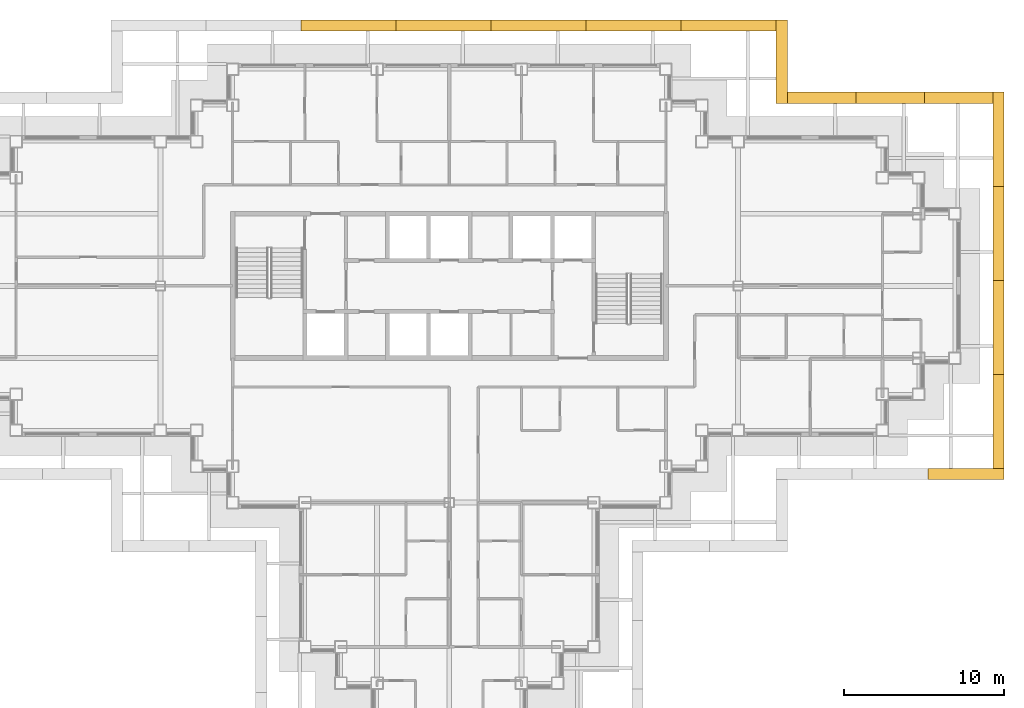
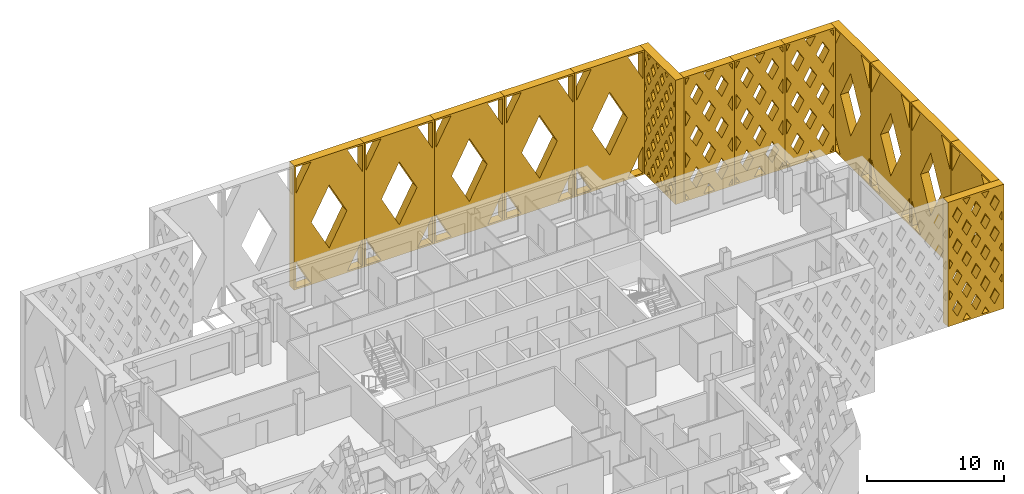
# One storey, part 18 of 18: 14 shading devices.
"""IFC4 building model written with IfcOpenShell, lengths in metres."""

from ifc_helpers import new_model, si_unit, direction, frame, origin, place, context, subcontext, project, spatial, polyline, outline, extrude, material, type_object, element, save


model = new_model("IFC4")

# Units and contexts
model_context = context("Model", 3, precision=1e-05, world=origin(), true_north=direction((0.0, 1.0)))
body_context = subcontext(model_context, "Body", "Model", "MODEL_VIEW")
ifc_project = project(units=[si_unit("LENGTHUNIT", "METRE"), si_unit("AREAUNIT", "SQUARE_METRE"), si_unit("VOLUMEUNIT", "CUBIC_METRE"), si_unit("PLANEANGLEUNIT", "RADIAN"), si_unit("MASSUNIT", "GRAM", prefix="KILO")], contexts=[model_context])

# Site, building, storey
site_placement = place(None, origin())
site = spatial("IfcSite", under=ifc_project, at=site_placement, CompositionType="ELEMENT")
building_placement = place(site_placement, origin())
building = spatial("IfcBuilding", under=site, at=building_placement, Name="Caravel Reach Hotel and Residences", CompositionType="ELEMENT")
storey_placement = place(building_placement, frame((0.0, 0.0, 176.5)))
storey = spatial("IfcBuildingStorey", under=building, at=storey_placement, Name="L44", CompositionType="ELEMENT", Elevation=176.5)

# Shading devices
ifc_material_1 = material(Name="Black powder-coated aluminium", Category="aluminium")
shading_device_type_1 = type_object("IfcShadingDeviceType", Name="Diamond lattice screen panel 4267 x 11100", PredefinedType="USERDEFINED", material=ifc_material_1)
shading_device_1_placement = place(storey_placement, frame((65.375, 38.375, 0.0), z_axis=(0.0, 1.0, 0.0), x_axis=(-1.0, 0.0, 0.0)))
element("IfcShadingDevice", 1, at=shading_device_1_placement, inside=storey, type_object=shading_device_type_1, Name="Lattice screen L44-L46 8.1", ObjectType="SCREEN", PredefinedType="USERDEFINED", context=body_context, shape_type="SweptSolid", body=[
    extrude(outline(polyline([(0.0, 0.0), (4.2666015625, 0.0), (4.2666015625, 11.10009765625), (0.0, 11.10009765625), (0.0, 0.0)]), holes=[polyline([(0.45947265625, 0.14990234375), (0.14990234375, 0.6865234375), (0.14990234375, 0.14990234375), (0.45947265625, 0.14990234375)]), polyline([(0.5458984375, 3.699951171875), (0.14990234375, 4.386474609375), (0.14990234375, 3.013427734375), (0.5458984375, 3.699951171875)]), polyline([(0.5458984375, 7.39990234375), (0.14990234375, 8.086669921875), (0.14990234375, 6.71337890625), (0.5458984375, 7.39990234375)]), polyline([(0.14990234375, 10.413330078125), (0.45947265625, 10.949951171875), (0.14990234375, 10.949951171875), (0.14990234375, 10.413330078125)]), polyline([(1.066650390625, 2.796630859375), (0.520751953125, 1.85009765625), (1.066650390625, 0.9033203125), (1.612548828125, 1.85009765625), (1.066650390625, 2.796630859375)]), polyline([(1.066650390625, 6.496826171875), (0.520751953125, 5.550048828125), (1.066650390625, 4.603271484375), (1.612548828125, 5.550048828125), (1.066650390625, 6.496826171875)]), polyline([(1.066650390625, 10.19677734375), (0.520751953125, 9.25), (1.066650390625, 8.30322265625), (1.612548828125, 9.25), (1.066650390625, 10.19677734375)]), polyline([(2.13330078125, 0.94677734375), (1.674072265625, 0.14990234375), (2.5927734375, 0.14990234375), (2.13330078125, 0.94677734375)]), polyline([(2.13330078125, 4.646728515625), (1.58740234375, 3.699951171875), (2.13330078125, 2.753173828125), (2.67919921875, 3.699951171875), (2.13330078125, 4.646728515625)]), polyline([(2.13330078125, 8.3466796875), (1.58740234375, 7.39990234375), (2.13330078125, 6.453369140625), (2.67919921875, 7.39990234375), (2.13330078125, 8.3466796875)]), polyline([(2.13330078125, 10.1533203125), (2.5927734375, 10.949951171875), (1.674072265625, 10.949951171875), (2.13330078125, 10.1533203125)]), polyline([(3.199951171875, 2.796630859375), (2.654052734375, 1.85009765625), (3.199951171875, 0.9033203125), (3.745849609375, 1.85009765625), (3.199951171875, 2.796630859375)]), polyline([(3.199951171875, 6.496826171875), (2.654052734375, 5.550048828125), (3.199951171875, 4.603271484375), (3.745849609375, 5.550048828125), (3.199951171875, 6.496826171875)]), polyline([(3.199951171875, 10.19677734375), (2.654052734375, 9.25), (3.199951171875, 8.30322265625), (3.745849609375, 9.25), (3.199951171875, 10.19677734375)]), polyline([(4.11669921875, 0.6865234375), (3.807373046875, 0.14990234375), (4.11669921875, 0.14990234375), (4.11669921875, 0.6865234375)]), polyline([(3.720703125, 3.699951171875), (4.11669921875, 3.013427734375), (4.11669921875, 4.386474609375), (3.720703125, 3.699951171875)]), polyline([(3.720703125, 7.39990234375), (4.11669921875, 6.71337890625), (4.11669921875, 8.086669921875), (3.720703125, 7.39990234375)]), polyline([(3.807373046875, 10.949951171875), (4.11669921875, 10.413330078125), (4.11669921875, 10.949951171875), (3.807373046875, 10.949951171875)])]), origin(), (0.0, 0.0, 1.0), 0.699951171875),
])
shading_device_2_placement = place(storey_placement, frame((61.1083984375, 38.375, 0.0), z_axis=(0.0, 1.0, 0.0), x_axis=(-1.0, 0.0, 0.0)))
element("IfcShadingDevice", 2, at=shading_device_2_placement, inside=storey, type_object=shading_device_type_1, Name="Lattice screen L44-L46 8.2", ObjectType="SCREEN", PredefinedType="USERDEFINED", context=body_context, shape_type="SweptSolid", body=[
    extrude(outline(polyline([(0.0, 0.0), (4.2666015625, 0.0), (4.2666015625, 11.10009765625), (0.0, 11.10009765625), (0.0, 0.0)]), holes=[polyline([(0.45947265625, 0.14990234375), (0.14990234375, 0.6865234375), (0.14990234375, 0.14990234375), (0.45947265625, 0.14990234375)]), polyline([(0.5458984375, 3.699951171875), (0.14990234375, 4.386474609375), (0.14990234375, 3.013427734375), (0.5458984375, 3.699951171875)]), polyline([(0.5458984375, 7.39990234375), (0.14990234375, 8.086669921875), (0.14990234375, 6.71337890625), (0.5458984375, 7.39990234375)]), polyline([(0.14990234375, 10.413330078125), (0.45947265625, 10.949951171875), (0.14990234375, 10.949951171875), (0.14990234375, 10.413330078125)]), polyline([(1.066650390625, 2.796630859375), (0.520751953125, 1.85009765625), (1.066650390625, 0.9033203125), (1.612548828125, 1.85009765625), (1.066650390625, 2.796630859375)]), polyline([(1.066650390625, 6.496826171875), (0.520751953125, 5.550048828125), (1.066650390625, 4.603271484375), (1.612548828125, 5.550048828125), (1.066650390625, 6.496826171875)]), polyline([(1.066650390625, 10.19677734375), (0.520751953125, 9.25), (1.066650390625, 8.30322265625), (1.612548828125, 9.25), (1.066650390625, 10.19677734375)]), polyline([(2.13330078125, 0.94677734375), (1.674072265625, 0.14990234375), (2.5927734375, 0.14990234375), (2.13330078125, 0.94677734375)]), polyline([(2.13330078125, 4.646728515625), (1.58740234375, 3.699951171875), (2.13330078125, 2.753173828125), (2.67919921875, 3.699951171875), (2.13330078125, 4.646728515625)]), polyline([(2.13330078125, 8.3466796875), (1.58740234375, 7.39990234375), (2.13330078125, 6.453369140625), (2.67919921875, 7.39990234375), (2.13330078125, 8.3466796875)]), polyline([(2.13330078125, 10.1533203125), (2.5927734375, 10.949951171875), (1.674072265625, 10.949951171875), (2.13330078125, 10.1533203125)]), polyline([(3.199951171875, 2.796630859375), (2.654052734375, 1.85009765625), (3.199951171875, 0.9033203125), (3.745849609375, 1.85009765625), (3.199951171875, 2.796630859375)]), polyline([(3.199951171875, 6.496826171875), (2.654052734375, 5.550048828125), (3.199951171875, 4.603271484375), (3.745849609375, 5.550048828125), (3.199951171875, 6.496826171875)]), polyline([(3.199951171875, 10.19677734375), (2.654052734375, 9.25), (3.199951171875, 8.30322265625), (3.745849609375, 9.25), (3.199951171875, 10.19677734375)]), polyline([(4.11669921875, 0.6865234375), (3.807373046875, 0.14990234375), (4.11669921875, 0.14990234375), (4.11669921875, 0.6865234375)]), polyline([(3.720703125, 3.699951171875), (4.11669921875, 3.013427734375), (4.11669921875, 4.386474609375), (3.720703125, 3.699951171875)]), polyline([(3.720703125, 7.39990234375), (4.11669921875, 6.71337890625), (4.11669921875, 8.086669921875), (3.720703125, 7.39990234375)]), polyline([(3.807373046875, 10.949951171875), (4.11669921875, 10.413330078125), (4.11669921875, 10.949951171875), (3.807373046875, 10.949951171875)])]), origin(), (0.0, 0.0, 1.0), 0.699951171875),
])
shading_device_3_placement = place(storey_placement, frame((56.841552734375, 38.375, 0.0), z_axis=(0.0, 1.0, 0.0), x_axis=(-1.0, 0.0, 0.0)))
element("IfcShadingDevice", 3, at=shading_device_3_placement, inside=storey, type_object=shading_device_type_1, Name="Lattice screen L44-L46 8.3", ObjectType="SCREEN", PredefinedType="USERDEFINED", context=body_context, shape_type="SweptSolid", body=[
    extrude(outline(polyline([(0.0, 0.0), (4.2666015625, 0.0), (4.2666015625, 11.10009765625), (0.0, 11.10009765625), (0.0, 0.0)]), holes=[polyline([(0.45947265625, 0.14990234375), (0.14990234375, 0.6865234375), (0.14990234375, 0.14990234375), (0.45947265625, 0.14990234375)]), polyline([(0.5458984375, 3.699951171875), (0.14990234375, 4.386474609375), (0.14990234375, 3.013427734375), (0.5458984375, 3.699951171875)]), polyline([(0.5458984375, 7.39990234375), (0.14990234375, 8.086669921875), (0.14990234375, 6.71337890625), (0.5458984375, 7.39990234375)]), polyline([(0.14990234375, 10.413330078125), (0.45947265625, 10.949951171875), (0.14990234375, 10.949951171875), (0.14990234375, 10.413330078125)]), polyline([(1.066650390625, 2.796630859375), (0.520751953125, 1.85009765625), (1.066650390625, 0.9033203125), (1.612548828125, 1.85009765625), (1.066650390625, 2.796630859375)]), polyline([(1.066650390625, 6.496826171875), (0.520751953125, 5.550048828125), (1.066650390625, 4.603271484375), (1.612548828125, 5.550048828125), (1.066650390625, 6.496826171875)]), polyline([(1.066650390625, 10.19677734375), (0.520751953125, 9.25), (1.066650390625, 8.30322265625), (1.612548828125, 9.25), (1.066650390625, 10.19677734375)]), polyline([(2.13330078125, 0.94677734375), (1.674072265625, 0.14990234375), (2.5927734375, 0.14990234375), (2.13330078125, 0.94677734375)]), polyline([(2.13330078125, 4.646728515625), (1.58740234375, 3.699951171875), (2.13330078125, 2.753173828125), (2.67919921875, 3.699951171875), (2.13330078125, 4.646728515625)]), polyline([(2.13330078125, 8.3466796875), (1.58740234375, 7.39990234375), (2.13330078125, 6.453369140625), (2.67919921875, 7.39990234375), (2.13330078125, 8.3466796875)]), polyline([(2.13330078125, 10.1533203125), (2.5927734375, 10.949951171875), (1.674072265625, 10.949951171875), (2.13330078125, 10.1533203125)]), polyline([(3.199951171875, 2.796630859375), (2.654052734375, 1.85009765625), (3.199951171875, 0.9033203125), (3.745849609375, 1.85009765625), (3.199951171875, 2.796630859375)]), polyline([(3.199951171875, 6.496826171875), (2.654052734375, 5.550048828125), (3.199951171875, 4.603271484375), (3.745849609375, 5.550048828125), (3.199951171875, 6.496826171875)]), polyline([(3.199951171875, 10.19677734375), (2.654052734375, 9.25), (3.199951171875, 8.30322265625), (3.745849609375, 9.25), (3.199951171875, 10.19677734375)]), polyline([(4.11669921875, 0.6865234375), (3.807373046875, 0.14990234375), (4.11669921875, 0.14990234375), (4.11669921875, 0.6865234375)]), polyline([(3.720703125, 3.699951171875), (4.11669921875, 3.013427734375), (4.11669921875, 4.386474609375), (3.720703125, 3.699951171875)]), polyline([(3.720703125, 7.39990234375), (4.11669921875, 6.71337890625), (4.11669921875, 8.086669921875), (3.720703125, 7.39990234375)]), polyline([(3.807373046875, 10.949951171875), (4.11669921875, 10.413330078125), (4.11669921875, 10.949951171875), (3.807373046875, 10.949951171875)])]), origin(), (0.0, 0.0, 1.0), 0.699951171875),
])
ifc_material_2 = material(Name="Black powder-coated aluminium", Category="aluminium")
shading_device_type_2 = type_object("IfcShadingDeviceType", Name="Diamond lattice screen panel 4733 x 11100", PredefinedType="USERDEFINED", material=ifc_material_2)
shading_device_4_placement = place(storey_placement, frame((61.341552734375, 15.625, 0.0), z_axis=(0.0, -1.0, 0.0), x_axis=(1.0, 0.0, 0.0)))
element("IfcShadingDevice", 4, at=shading_device_4_placement, inside=storey, type_object=shading_device_type_2, Name="Lattice screen L44-L46 6.3", ObjectType="SCREEN", PredefinedType="USERDEFINED", context=body_context, shape_type="SweptSolid", body=[
    extrude(outline(polyline([(0.0, 0.0), (4.7333984375, 0.0), (4.7333984375, 11.10009765625), (0.0, 11.10009765625), (0.0, 0.0)]), holes=[polyline([(0.401123046875, 2.77490234375), (0.14990234375, 3.216796875), (0.14990234375, 2.333251953125), (0.401123046875, 2.77490234375)]), polyline([(0.401123046875, 5.550048828125), (0.14990234375, 5.99169921875), (0.14990234375, 5.108154296875), (0.401123046875, 5.550048828125)]), polyline([(0.401123046875, 8.324951171875), (0.14990234375, 8.766845703125), (0.14990234375, 7.88330078125), (0.401123046875, 8.324951171875)]), polyline([(0.788818359375, 2.093017578125), (0.3876953125, 1.387451171875), (0.788818359375, 0.681884765625), (1.190185546875, 1.387451171875), (0.788818359375, 2.093017578125)]), polyline([(0.788818359375, 4.8681640625), (0.3876953125, 4.16259765625), (0.788818359375, 3.456787109375), (1.190185546875, 4.16259765625), (0.788818359375, 4.8681640625)]), polyline([(0.788818359375, 7.64306640625), (0.3876953125, 6.9375), (0.788818359375, 6.23193359375), (1.190185546875, 6.9375), (0.788818359375, 7.64306640625)]), polyline([(0.788818359375, 10.418212890625), (0.3876953125, 9.71240234375), (0.788818359375, 9.0068359375), (1.190185546875, 9.71240234375), (0.788818359375, 10.418212890625)]), polyline([(1.577880859375, 0.70556640625), (1.261962890625, 0.14990234375), (1.893798828125, 0.14990234375), (1.577880859375, 0.70556640625)]), polyline([(1.577880859375, 3.480712890625), (1.176513671875, 2.77490234375), (1.577880859375, 2.0693359375), (1.97900390625, 2.77490234375), (1.577880859375, 3.480712890625)]), polyline([(1.577880859375, 6.255615234375), (1.176513671875, 5.550048828125), (1.577880859375, 4.844482421875), (1.97900390625, 5.550048828125), (1.577880859375, 6.255615234375)]), polyline([(1.577880859375, 9.030517578125), (1.176513671875, 8.324951171875), (1.577880859375, 7.619384765625), (1.97900390625, 8.324951171875), (1.577880859375, 9.030517578125)]), polyline([(1.577880859375, 10.394287109375), (1.893798828125, 10.949951171875), (1.261962890625, 10.949951171875), (1.577880859375, 10.394287109375)]), polyline([(2.36669921875, 2.093017578125), (1.965576171875, 1.387451171875), (2.36669921875, 0.681884765625), (2.767822265625, 1.387451171875), (2.36669921875, 2.093017578125)]), polyline([(2.36669921875, 4.8681640625), (1.965576171875, 4.16259765625), (2.36669921875, 3.456787109375), (2.767822265625, 4.16259765625), (2.36669921875, 4.8681640625)]), polyline([(2.36669921875, 7.64306640625), (1.965576171875, 6.9375), (2.36669921875, 6.23193359375), (2.767822265625, 6.9375), (2.36669921875, 7.64306640625)]), polyline([(2.36669921875, 10.418212890625), (1.965576171875, 9.71240234375), (2.36669921875, 9.0068359375), (2.767822265625, 9.71240234375), (2.36669921875, 10.418212890625)]), polyline([(3.155517578125, 0.70556640625), (2.839599609375, 0.14990234375), (3.471435546875, 0.14990234375), (3.155517578125, 0.70556640625)]), polyline([(3.155517578125, 3.480712890625), (2.75439453125, 2.77490234375), (3.155517578125, 2.0693359375), (3.556640625, 2.77490234375), (3.155517578125, 3.480712890625)]), polyline([(3.155517578125, 6.255615234375), (2.75439453125, 5.550048828125), (3.155517578125, 4.844482421875), (3.556640625, 5.550048828125), (3.155517578125, 6.255615234375)]), polyline([(3.155517578125, 9.030517578125), (2.75439453125, 8.324951171875), (3.155517578125, 7.619384765625), (3.556640625, 8.324951171875), (3.155517578125, 9.030517578125)]), polyline([(3.155517578125, 10.394287109375), (3.471435546875, 10.949951171875), (2.839599609375, 10.949951171875), (3.155517578125, 10.394287109375)]), polyline([(3.9443359375, 2.093017578125), (3.543212890625, 1.387451171875), (3.9443359375, 0.681884765625), (4.345703125, 1.387451171875), (3.9443359375, 2.093017578125)]), polyline([(3.9443359375, 4.8681640625), (3.543212890625, 4.16259765625), (3.9443359375, 3.456787109375), (4.345703125, 4.16259765625), (3.9443359375, 4.8681640625)]), polyline([(3.9443359375, 7.64306640625), (3.543212890625, 6.9375), (3.9443359375, 6.23193359375), (4.345703125, 6.9375), (3.9443359375, 7.64306640625)]), polyline([(3.9443359375, 10.418212890625), (3.543212890625, 9.71240234375), (3.9443359375, 9.0068359375), (4.345703125, 9.71240234375), (3.9443359375, 10.418212890625)]), polyline([(4.33203125, 2.77490234375), (4.583251953125, 2.333251953125), (4.583251953125, 3.216796875), (4.33203125, 2.77490234375)]), polyline([(4.33203125, 5.550048828125), (4.583251953125, 5.108154296875), (4.583251953125, 5.99169921875), (4.33203125, 5.550048828125)]), polyline([(4.33203125, 8.324951171875), (4.583251953125, 7.88330078125), (4.583251953125, 8.766845703125), (4.33203125, 8.324951171875)])]), origin(), (0.0, 0.0, 1.0), 0.699951171875),
])
ifc_material_3 = material(Name="Black powder-coated aluminium", Category="aluminium")
shading_device_type_3 = type_object("IfcShadingDeviceType", Name="Diamond lattice screen panel 5200 x 11100", PredefinedType="USERDEFINED", material=ifc_material_3)
shading_device_5_placement = place(storey_placement, frame((51.875, 38.375, 0.0), z_axis=(1.0, 0.0, 0.0), x_axis=(0.0, 1.0, 0.0)))
element("IfcShadingDevice", 5, at=shading_device_5_placement, inside=storey, type_object=shading_device_type_3, Name="Lattice screen L44-L46 9.1", ObjectType="SCREEN", PredefinedType="USERDEFINED", context=body_context, shape_type="SweptSolid", body=[
    extrude(outline(polyline([(0.0, 0.0), (5.199951171875, 0.0), (5.199951171875, 11.10009765625), (0.0, 11.10009765625), (0.0, 0.0)]), holes=[polyline([(0.326904296875, 2.219970703125), (0.14990234375, 2.522216796875), (0.14990234375, 1.917724609375), (0.326904296875, 2.219970703125)]), polyline([(0.326904296875, 4.43994140625), (0.14990234375, 4.7421875), (0.14990234375, 4.1376953125), (0.326904296875, 4.43994140625)]), polyline([(0.326904296875, 6.659912109375), (0.14990234375, 6.962158203125), (0.14990234375, 6.357666015625), (0.326904296875, 6.659912109375)]), polyline([(0.326904296875, 8.8798828125), (0.14990234375, 9.18212890625), (0.14990234375, 8.577880859375), (0.326904296875, 8.8798828125)]), polyline([(0.64990234375, 1.66845703125), (0.322998046875, 1.110107421875), (0.64990234375, 0.551513671875), (0.97705078125, 1.110107421875), (0.64990234375, 1.66845703125)]), polyline([(0.64990234375, 3.888427734375), (0.322998046875, 3.330078125), (0.64990234375, 2.771728515625), (0.97705078125, 3.330078125), (0.64990234375, 3.888427734375)]), polyline([(0.64990234375, 6.1083984375), (0.322998046875, 5.550048828125), (0.64990234375, 4.99169921875), (0.97705078125, 5.550048828125), (0.64990234375, 6.1083984375)]), polyline([(0.64990234375, 8.328369140625), (0.322998046875, 7.77001953125), (0.64990234375, 7.211669921875), (0.97705078125, 7.77001953125), (0.64990234375, 8.328369140625)]), polyline([(0.64990234375, 10.54833984375), (0.322998046875, 9.989990234375), (0.64990234375, 9.431640625), (0.97705078125, 9.989990234375), (0.64990234375, 10.54833984375)]), polyline([(1.300048828125, 0.558349609375), (1.060791015625, 0.14990234375), (1.5390625, 0.14990234375), (1.300048828125, 0.558349609375)]), polyline([(1.300048828125, 2.7783203125), (0.97314453125, 2.219970703125), (1.300048828125, 1.66162109375), (1.626953125, 2.219970703125), (1.300048828125, 2.7783203125)]), polyline([(1.300048828125, 4.998291015625), (0.97314453125, 4.43994140625), (1.300048828125, 3.881591796875), (1.626953125, 4.43994140625), (1.300048828125, 4.998291015625)]), polyline([(1.300048828125, 7.21826171875), (0.97314453125, 6.659912109375), (1.300048828125, 6.1015625), (1.626953125, 6.659912109375), (1.300048828125, 7.21826171875)]), polyline([(1.300048828125, 9.4384765625), (0.97314453125, 8.8798828125), (1.300048828125, 8.321533203125), (1.626953125, 8.8798828125), (1.300048828125, 9.4384765625)]), polyline([(1.300048828125, 10.541748046875), (1.5390625, 10.949951171875), (1.060791015625, 10.949951171875), (1.300048828125, 10.541748046875)]), polyline([(1.949951171875, 1.66845703125), (1.623046875, 1.110107421875), (1.949951171875, 0.551513671875), (2.27685546875, 1.110107421875), (1.949951171875, 1.66845703125)]), polyline([(1.949951171875, 3.888427734375), (1.623046875, 3.330078125), (1.949951171875, 2.771728515625), (2.27685546875, 3.330078125), (1.949951171875, 3.888427734375)]), polyline([(1.949951171875, 6.1083984375), (1.623046875, 5.550048828125), (1.949951171875, 4.99169921875), (2.27685546875, 5.550048828125), (1.949951171875, 6.1083984375)]), polyline([(1.949951171875, 8.328369140625), (1.623046875, 7.77001953125), (1.949951171875, 7.211669921875), (2.27685546875, 7.77001953125), (1.949951171875, 8.328369140625)]), polyline([(1.949951171875, 10.54833984375), (1.623046875, 9.989990234375), (1.949951171875, 9.431640625), (2.27685546875, 9.989990234375), (1.949951171875, 10.54833984375)]), polyline([(2.60009765625, 0.558349609375), (2.36083984375, 0.14990234375), (2.839111328125, 0.14990234375), (2.60009765625, 0.558349609375)]), polyline([(2.60009765625, 2.7783203125), (2.27294921875, 2.219970703125), (2.60009765625, 1.66162109375), (2.927001953125, 2.219970703125), (2.60009765625, 2.7783203125)]), polyline([(2.60009765625, 4.998291015625), (2.27294921875, 4.43994140625), (2.60009765625, 3.881591796875), (2.927001953125, 4.43994140625), (2.60009765625, 4.998291015625)]), polyline([(2.60009765625, 7.21826171875), (2.27294921875, 6.659912109375), (2.60009765625, 6.1015625), (2.927001953125, 6.659912109375), (2.60009765625, 7.21826171875)]), polyline([(2.60009765625, 9.4384765625), (2.27294921875, 8.8798828125), (2.60009765625, 8.321533203125), (2.927001953125, 8.8798828125), (2.60009765625, 9.4384765625)]), polyline([(2.60009765625, 10.541748046875), (2.839111328125, 10.949951171875), (2.36083984375, 10.949951171875), (2.60009765625, 10.541748046875)]), polyline([(3.25, 1.66845703125), (2.923095703125, 1.110107421875), (3.25, 0.551513671875), (3.576904296875, 1.110107421875), (3.25, 1.66845703125)]), polyline([(3.25, 3.888427734375), (2.923095703125, 3.330078125), (3.25, 2.771728515625), (3.576904296875, 3.330078125), (3.25, 3.888427734375)]), polyline([(3.25, 6.1083984375), (2.923095703125, 5.550048828125), (3.25, 4.99169921875), (3.576904296875, 5.550048828125), (3.25, 6.1083984375)]), polyline([(3.25, 8.328369140625), (2.923095703125, 7.77001953125), (3.25, 7.211669921875), (3.576904296875, 7.77001953125), (3.25, 8.328369140625)]), polyline([(3.25, 10.54833984375), (2.923095703125, 9.989990234375), (3.25, 9.431640625), (3.576904296875, 9.989990234375), (3.25, 10.54833984375)]), polyline([(3.89990234375, 0.558349609375), (3.660888671875, 0.14990234375), (4.13916015625, 0.14990234375), (3.89990234375, 0.558349609375)]), polyline([(3.89990234375, 2.7783203125), (3.572998046875, 2.219970703125), (3.89990234375, 1.66162109375), (4.22705078125, 2.219970703125), (3.89990234375, 2.7783203125)]), polyline([(3.89990234375, 4.998291015625), (3.572998046875, 4.43994140625), (3.89990234375, 3.881591796875), (4.22705078125, 4.43994140625), (3.89990234375, 4.998291015625)]), polyline([(3.89990234375, 7.21826171875), (3.572998046875, 6.659912109375), (3.89990234375, 6.1015625), (4.22705078125, 6.659912109375), (3.89990234375, 7.21826171875)]), polyline([(3.89990234375, 9.4384765625), (3.572998046875, 8.8798828125), (3.89990234375, 8.321533203125), (4.22705078125, 8.8798828125), (3.89990234375, 9.4384765625)]), polyline([(3.89990234375, 10.541748046875), (4.13916015625, 10.949951171875), (3.660888671875, 10.949951171875), (3.89990234375, 10.541748046875)]), polyline([(4.550048828125, 1.66845703125), (4.22314453125, 1.110107421875), (4.550048828125, 0.551513671875), (4.876953125, 1.110107421875), (4.550048828125, 1.66845703125)]), polyline([(4.550048828125, 3.888427734375), (4.22314453125, 3.330078125), (4.550048828125, 2.771728515625), (4.876953125, 3.330078125), (4.550048828125, 3.888427734375)]), polyline([(4.550048828125, 6.1083984375), (4.22314453125, 5.550048828125), (4.550048828125, 4.99169921875), (4.876953125, 5.550048828125), (4.550048828125, 6.1083984375)]), polyline([(4.550048828125, 8.328369140625), (4.22314453125, 7.77001953125), (4.550048828125, 7.211669921875), (4.876953125, 7.77001953125), (4.550048828125, 8.328369140625)]), polyline([(4.550048828125, 10.54833984375), (4.22314453125, 9.989990234375), (4.550048828125, 9.431640625), (4.876953125, 9.989990234375), (4.550048828125, 10.54833984375)]), polyline([(4.873046875, 2.219970703125), (5.050048828125, 1.917724609375), (5.050048828125, 2.522216796875), (4.873046875, 2.219970703125)]), polyline([(4.873046875, 4.43994140625), (5.050048828125, 4.1376953125), (5.050048828125, 4.7421875), (4.873046875, 4.43994140625)]), polyline([(4.873046875, 6.659912109375), (5.050048828125, 6.357666015625), (5.050048828125, 6.962158203125), (4.873046875, 6.659912109375)]), polyline([(4.873046875, 8.8798828125), (5.050048828125, 8.577880859375), (5.050048828125, 9.18212890625), (4.873046875, 8.8798828125)])]), origin(), (0.0, 0.0, 1.0), 0.699951171875),
])
ifc_material_4 = material(Name="Black powder-coated aluminium", Category="aluminium")
shading_device_type_4 = type_object("IfcShadingDeviceType", Name="Diamond lattice screen panel 5862 x 11100", PredefinedType="USERDEFINED", material=ifc_material_4)
for number, where, z_axis, x_axis, name in (
    (6, (65.375, 15.625, 0.0), (1.0, 0.0, 0.0), (0.0, 1.0, 0.0), "Lattice screen L44-L46 7.1"),
    (7, (65.375, 21.487548828125, 0.0), (1.0, 0.0, 0.0), (0.0, 1.0, 0.0), "Lattice screen L44-L46 7.2"),
    (8, (65.375, 27.35009765625, 0.0), (1.0, 0.0, 0.0), (0.0, 1.0, 0.0), "Lattice screen L44-L46 7.3"),
    (9, (65.375, 33.21240234375, 0.0), (1.0, 0.0, 0.0), (0.0, 1.0, 0.0), "Lattice screen L44-L46 7.4"),
):
    element("IfcShadingDevice", number, at=place(storey_placement, frame(where, z_axis=z_axis, x_axis=x_axis)), inside=storey, type_object=shading_device_type_4, Name=name, ObjectType="SCREEN", PredefinedType="USERDEFINED", context=body_context, shape_type="SweptSolid", body=[
        extrude(outline(polyline([(0.0, 0.0), (5.862548828125, 0.0), (5.862548828125, 11.10009765625), (0.0, 11.10009765625), (0.0, 0.0)]), holes=[polyline([(1.405517578125, 0.14990234375), (0.14990234375, 2.527099609375), (0.14990234375, 0.14990234375), (1.405517578125, 0.14990234375)]), polyline([(0.14990234375, 8.572998046875), (1.405517578125, 10.949951171875), (0.14990234375, 10.949951171875), (0.14990234375, 8.572998046875)]), polyline([(2.93115234375, 8.361083984375), (1.446533203125, 5.550048828125), (2.93115234375, 2.73876953125), (4.416015625, 5.550048828125), (2.93115234375, 8.361083984375)]), polyline([(5.71240234375, 2.527099609375), (4.45703125, 0.14990234375), (5.71240234375, 0.14990234375), (5.71240234375, 2.527099609375)]), polyline([(4.45703125, 10.949951171875), (5.71240234375, 8.572998046875), (5.71240234375, 10.949951171875), (4.45703125, 10.949951171875)])]), origin(), (0.0, 0.0, 1.0), 0.699951171875),
    ])
ifc_material_5 = material(Name="Black powder-coated aluminium", Category="aluminium")
shading_device_type_5 = type_object("IfcShadingDeviceType", Name="Diamond lattice screen panel 5921 x 11100", PredefinedType="USERDEFINED", material=ifc_material_5)
for number, where, z_axis, x_axis, name in (
    (10, (51.875, 42.875, 0.0), (0.0, 1.0, 0.0), (-1.0, 0.0, 0.0), "Lattice screen L44-L46 10.1"),
    (11, (45.95361328125, 42.875, 0.0), (0.0, 1.0, 0.0), (-1.0, 0.0, 0.0), "Lattice screen L44-L46 10.2"),
    (12, (40.0322265625, 42.875, 0.0), (0.0, 1.0, 0.0), (-1.0, 0.0, 0.0), "Lattice screen L44-L46 10.3"),
    (13, (34.110595703125, 42.875, 0.0), (0.0, 1.0, 0.0), (-1.0, 0.0, 0.0), "Lattice screen L44-L46 10.4"),
    (14, (28.189208984375, 42.875, 0.0), (0.0, 1.0, 0.0), (-1.0, 0.0, 0.0), "Lattice screen L44-L46 10.5"),
):
    element("IfcShadingDevice", number, at=place(storey_placement, frame(where, z_axis=z_axis, x_axis=x_axis)), inside=storey, type_object=shading_device_type_5, Name=name, ObjectType="SCREEN", PredefinedType="USERDEFINED", context=body_context, shape_type="SweptSolid", body=[
        extrude(outline(polyline([(0.0, 0.0), (5.92138671875, 0.0), (5.92138671875, 11.10009765625), (0.0, 11.10009765625), (0.0, 0.0)]), holes=[polyline([(1.4189453125, 0.14990234375), (0.14990234375, 2.528564453125), (0.14990234375, 0.14990234375), (1.4189453125, 0.14990234375)]), polyline([(0.14990234375, 8.5712890625), (1.4189453125, 10.949951171875), (0.14990234375, 10.949951171875), (0.14990234375, 8.5712890625)]), polyline([(2.960693359375, 8.35986328125), (1.461669921875, 5.550048828125), (2.960693359375, 2.740234375), (4.459716796875, 5.550048828125), (2.960693359375, 8.35986328125)]), polyline([(5.771484375, 2.528564453125), (4.50244140625, 0.14990234375), (5.771484375, 0.14990234375), (5.771484375, 2.528564453125)]), polyline([(4.50244140625, 10.949951171875), (5.771484375, 8.5712890625), (5.771484375, 10.949951171875), (4.50244140625, 10.949951171875)])]), origin(), (0.0, 0.0, 1.0), 0.699951171875),
    ])

save(model, "model.ifc")
